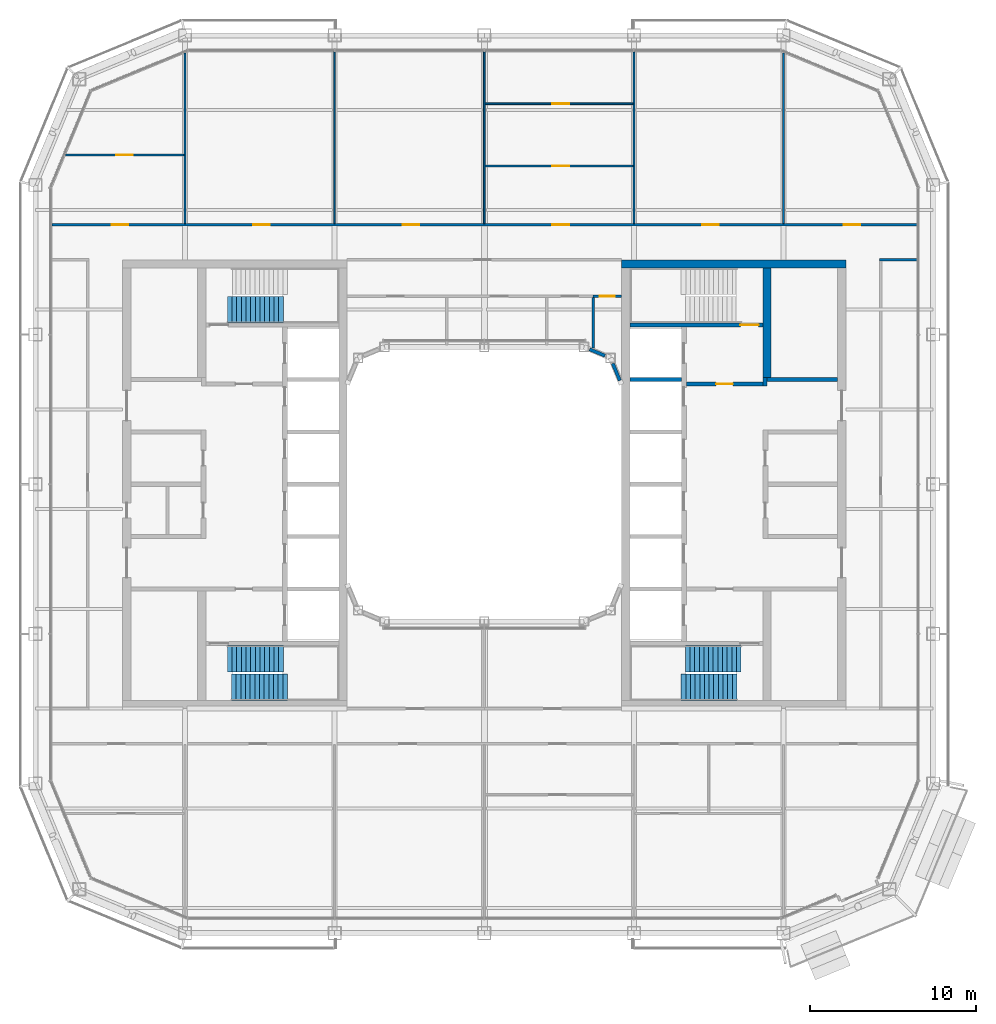
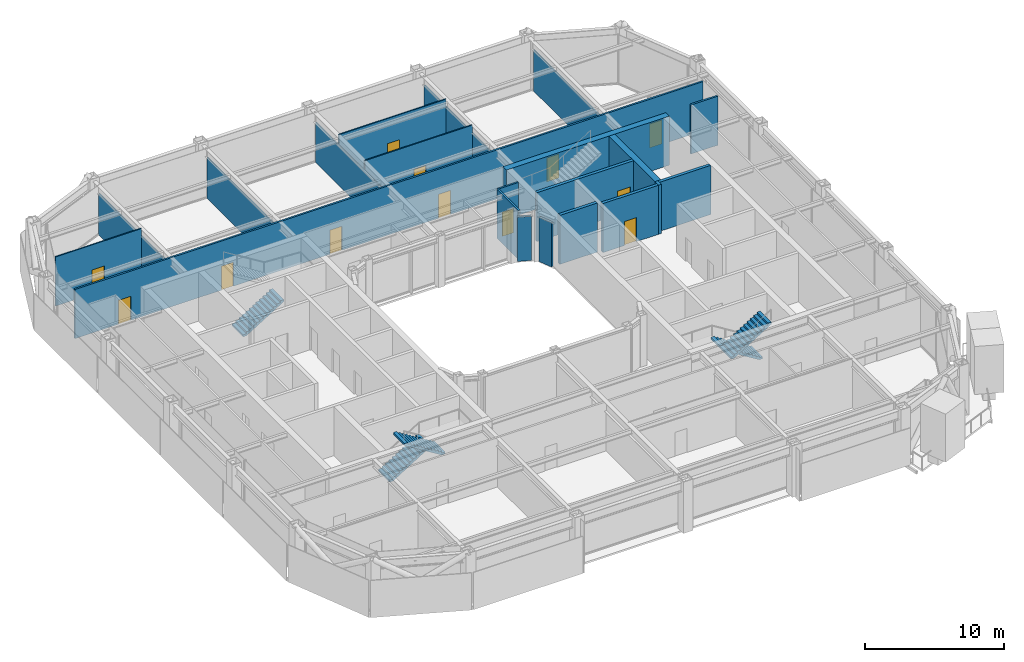
# One storey, part 15 of 23: 21 walls, 12 doors, 5 stair flights, 12 openings, 3 elements without a shape of their own.
"""IFC4 building model written with IfcOpenShell, lengths in metres."""

import ifcopenshell
import ifcopenshell.guid

model = None  # the IFC model being written
_history = None  # IfcOwnerHistory: only IFC2X3 demands one
_inside = {}  # id of a spatial element -> (the spatial element, [elements in it])
_under = {}  # id of a project, library or spatial element -> (it, [spatial elements below it])
_declared = {}  # id of a project -> (the project, [libraries it declares])
_typed = {}  # id of a type object -> (the type object, [elements of that type])
_made_of = {}  # id of a material, layer set ... -> (it, [elements and type objects made of it])


def new_model(schema):
    """Start an empty IFC model of exactly this schema.

    Asked for "IFC4X3", IfcOpenShell would pick the latest addendum, in which some entities
    have other attributes; the version numbers below select the first issue.
    IFC2X3 requires an IfcOwnerHistory on every rooted entity: one is made here for all.
    """
    global model, _history
    if schema == "IFC4X3":
        model = ifcopenshell.file(schema_version=(4, 3, 0, 0))
    else:
        model = ifcopenshell.file(schema=schema)
    _inside.clear()
    _under.clear()
    _declared.clear()
    _typed.clear()
    _made_of.clear()
    _history = None
    if model.schema == "IFC2X3":
        org = make("IfcOrganization", Name="unknown")
        user = make(
            "IfcPersonAndOrganization",
            ThePerson=make("IfcPerson", FamilyName="unknown"),
            TheOrganization=org,
        )
        app = make(
            "IfcApplication",
            ApplicationDeveloper=org,
            Version="unknown",
            ApplicationFullName="unknown",
            ApplicationIdentifier="unknown",
        )
        _history = make(
            "IfcOwnerHistory",
            OwningUser=user,
            OwningApplication=app,
            ChangeAction="ADDED",
            CreationDate=0,
        )
    return model


def make(cls, **values):
    """One entity of the class cls with the attributes given. An attribute that is None is left unset."""
    return model.create_entity(
        cls, **{name: value for name, value in values.items() if value is not None}
    )


def rooted(cls, **values):
    """An entity with a GlobalId (a new one), such as an element, a storey or a relation."""
    return make(cls, GlobalId=ifcopenshell.guid.new(), OwnerHistory=_history, **values)


def si_unit(unit_type, name, prefix=None):
    """IfcSIUnit, for example si_unit("LENGTHUNIT", "METRE", prefix="MILLI")."""
    return make("IfcSIUnit", UnitType=unit_type, Prefix=prefix, Name=name)


def assignment(units):
    """IfcUnitAssignment: the units of a project."""
    return None if units is None else make("IfcUnitAssignment", Units=units)


def point(xyz):
    """IfcCartesianPoint."""
    return None if xyz is None else make("IfcCartesianPoint", Coordinates=xyz)


def direction(xyz):
    """IfcDirection."""
    return None if xyz is None else make("IfcDirection", DirectionRatios=xyz)


def frame(location, z_axis=None, x_axis=None):
    """IfcAxis2Placement3D, a coordinate frame: its origin and axes. An axis left out is left unset."""
    return make(
        "IfcAxis2Placement3D",
        Location=point(location),
        Axis=direction(z_axis),
        RefDirection=direction(x_axis),
    )


def frame_2d(location, x_axis=None):
    """IfcAxis2Placement2D, a coordinate frame in the plane: its origin and x axis."""
    return make(
        "IfcAxis2Placement2D", Location=point(location), RefDirection=direction(x_axis)
    )


def origin():
    """The frame at (0, 0, 0) with its axes left unset."""
    return frame((0.0, 0.0, 0.0))


def place(relative_to, where):
    """IfcLocalPlacement: puts the frame where relative to a parent placement (None: the world)."""
    return make(
        "IfcLocalPlacement", PlacementRelTo=relative_to, RelativePlacement=where
    )


def context(
    kind, dimensions, precision=None, world=None, true_north=None, identifier=None
):
    """IfcGeometricRepresentationContext, for example the 3D "Model" context."""
    return make(
        "IfcGeometricRepresentationContext",
        ContextIdentifier=identifier,
        ContextType=kind,
        CoordinateSpaceDimension=dimensions,
        Precision=precision,
        WorldCoordinateSystem=world,
        TrueNorth=true_north,
    )


def subcontext(parent, identifier, kind, view, scale=None):
    """IfcGeometricRepresentationSubContext, for example "Body" below "Model"."""
    return make(
        "IfcGeometricRepresentationSubContext",
        ContextIdentifier=identifier,
        ContextType=kind,
        ParentContext=parent,
        TargetScale=scale,
        TargetView=view,
    )


def project(units=None, contexts=None):
    """IfcProject with its units and contexts."""
    return rooted(
        "IfcProject",
        Name="project",
        RepresentationContexts=contexts,
        UnitsInContext=assignment(units),
    )


def spatial(cls, under=None, at=None, **own):
    """A site, building, storey or space (cls), placed at a placement, below another one or the project."""
    s = rooted(cls, ObjectPlacement=at, **own)
    if under is not None:
        _under.setdefault(under.id(), (under, []))[1].append(s)
    return s


def polyline(points):
    """IfcPolyline through the points."""
    return make("IfcPolyline", Points=[point(p) for p in points])


def profile(cls, at=None, kind="AREA", **sizes):
    """A parametric profile (cls). Its sizes go by their IFC names, for example OverallWidth=200.0."""
    return make(cls, ProfileType=kind, Position=at, **sizes)


def rectangle(**sizes):
    """IfcRectangleProfileDef."""
    return profile("IfcRectangleProfileDef", **sizes)


def outline(outer, holes=None, kind="AREA"):
    """IfcArbitraryClosedProfileDef: a profile drawn as a closed curve; with holes, ...WithVoids."""
    if holes is None:
        return make("IfcArbitraryClosedProfileDef", ProfileType=kind, OuterCurve=outer)
    return make(
        "IfcArbitraryProfileDefWithVoids",
        ProfileType=kind,
        OuterCurve=outer,
        InnerCurves=holes,
    )


def extrude(swept, where, along, depth):
    """IfcExtrudedAreaSolid: the profile swept, set in the frame where, extruded along a direction by depth."""
    return make(
        "IfcExtrudedAreaSolid",
        SweptArea=swept,
        Position=where,
        ExtrudedDirection=direction(along),
        Depth=depth,
    )


def shape(context_of_items, identifier, shape_type, items):
    """IfcShapeRepresentation: the items that make up one representation, for example the "Body"."""
    return make(
        "IfcShapeRepresentation",
        ContextOfItems=context_of_items,
        RepresentationIdentifier=identifier,
        RepresentationType=shape_type,
        Items=items,
    )


def material(Name=None, Category=None):
    """IfcMaterial."""
    return make("IfcMaterial", Name=Name, Category=Category)


def layer(
    of_material, thickness, ventilated=None, Name=None, Category=None, Priority=None
):
    """IfcMaterialLayer: one layer of a wall or slab, of a material (None: an air gap)."""
    return make(
        "IfcMaterialLayer",
        Material=of_material,
        LayerThickness=thickness,
        IsVentilated=ventilated,
        Name=Name,
        Category=Category,
        Priority=Priority,
    )


def layer_set(layers, Name=None):
    """IfcMaterialLayerSet."""
    return make("IfcMaterialLayerSet", MaterialLayers=layers, LayerSetName=Name)


def made_of(thing, what):
    """Note that an element or type object is made of a material, layer set ...; save() writes the relation."""
    if what is not None:
        _made_of.setdefault(what.id(), (what, []))[1].append(thing)
    return thing


def type_object(cls, material=None, **own):
    """A type object (cls), such as IfcWallType, which elements share."""
    return made_of(rooted(cls, **own), material)


def element(
    cls,
    number,
    at=None,
    inside=None,
    cuts=None,
    type_object=None,
    material=None,
    context=None,
    identifier="Body",
    shape_type=None,
    held_by="IfcProductDefinitionShape",
    body=None,
    shapes=None,
    **own,
):
    """One element of the class cls, such as IfcWall. Its Tag is "e" and its number.

    at: its placement. inside: the storey or other place that contains it. cuts: it is an
    opening in that element (IfcRelVoidsElement). A single representation is given by context,
    identifier, shape_type and body (its items); several are given by shapes. held_by: the class
    of the entity that holds the representations. save() writes the other relations.
    """
    e = rooted(cls, Tag="e%d" % number, ObjectPlacement=at, **own)
    if body is not None:
        shapes = [shape(context, identifier, shape_type, body)]
    if shapes is not None:
        e.Representation = make(held_by, Representations=shapes)
    if inside is not None:
        _inside.setdefault(inside.id(), (inside, []))[1].append(e)
    if cuts is not None:
        rooted(
            "IfcRelVoidsElement", RelatingBuildingElement=cuts, RelatedOpeningElement=e
        )
    if type_object is not None:
        _typed.setdefault(type_object.id(), (type_object, []))[1].append(e)
    return made_of(e, material)


def fill(opening, filler):
    """IfcRelFillsElement: the door or window that sits in an opening."""
    return rooted(
        "IfcRelFillsElement",
        RelatingOpeningElement=opening,
        RelatedBuildingElement=filler,
    )


def aggregate(whole, parts):
    """IfcRelAggregates: a whole, such as a stair, and the parts it consists of."""
    return rooted("IfcRelAggregates", RelatingObject=whole, RelatedObjects=parts)


def save(model, path):
    """Write the relations noted so far, then the file.

    IfcRelAggregates (storeys below a building ...), IfcRelContainedInSpatialStructure (elements
    in a storey), IfcRelDefinesByType, IfcRelAssociatesMaterial and IfcRelDeclares: one each for
    every whole, place, type object, material and project.
    """
    for whole, parts in _under.values():
        aggregate(whole, parts)
    for where, things in _inside.values():
        rooted(
            "IfcRelContainedInSpatialStructure",
            RelatedElements=things,
            RelatingStructure=where,
        )
    for kind, things in _typed.values():
        rooted("IfcRelDefinesByType", RelatedObjects=things, RelatingType=kind)
    for what, things in _made_of.values():
        rooted("IfcRelAssociatesMaterial", RelatedObjects=things, RelatingMaterial=what)
    for by, libraries in _declared.values():
        rooted("IfcRelDeclares", RelatingContext=by, RelatedDefinitions=libraries)
    model.write(path)


model = new_model("IFC4")

# Units and contexts
model_context = context("Model", 3, precision=1e-05, world=origin(), true_north=direction((0.0, 1.0)))
body_context = subcontext(model_context, "Body", "Model", "MODEL_VIEW")
ifc_project = project(units=[si_unit("LENGTHUNIT", "METRE"), si_unit("AREAUNIT", "SQUARE_METRE"), si_unit("VOLUMEUNIT", "CUBIC_METRE"), si_unit("PLANEANGLEUNIT", "RADIAN"), si_unit("MASSUNIT", "GRAM", prefix="KILO")], contexts=[model_context])

# Site, building, storey
site_placement = place(None, origin())
site = spatial("IfcSite", under=ifc_project, at=site_placement, CompositionType="ELEMENT")
building_placement = place(site_placement, origin())
building = spatial("IfcBuilding", under=site, at=building_placement, Name="Siwar Civic Tower", CompositionType="ELEMENT")
storey_placement = place(building_placement, frame((0.0, 0.0, 273.699951171875)))
storey = spatial("IfcBuildingStorey", under=building, at=storey_placement, Name="L59", CompositionType="ELEMENT", Elevation=273.699951171875)

# Wall, opening, door
ifc_material_1 = material(Name="Gypsum board on steel studs", Category="steel")
ifc_layer_1 = layer(ifc_material_1, 0.14990234375)
ifc_layer_set_1 = layer_set([ifc_layer_1], Name="Gypsum board on steel studs")
wall_type_1 = type_object("IfcWallType", Name="COMPARTMENT PARTITION 150 EI 60", PredefinedType="PARTITIONING", material=ifc_layer_set_1)
wall_1_placement = place(storey_placement, frame((6.5400390625, 11.300048828125, 0.0), z_axis=(0.0, 0.0, 1.0), x_axis=(1.0, 0.0, 0.0)))
wall_1 = element("IfcWall", 1, at=wall_1_placement, inside=storey, type_object=wall_type_1, Name="L59/wall/P10", PredefinedType="PARTITIONING", context=body_context, shape_type="SweptSolid", body=[
    extrude(rectangle(XDim=1.7099609375, YDim=0.14990234375, at=frame_2d((0.85498046875, 0.0))), origin(), (0.0, 0.0, 1.0), 4.300048828125),
])
opening_1_placement = place(wall_1_placement, frame((0.39990234375, 0.0, 0.0)))
opening_1 = element("IfcOpeningElement", 2, at=opening_1_placement, cuts=wall_1, Name="Opening D4", PredefinedType="OPENING", context=body_context, shape_type="SweptSolid", body=[
    extrude(rectangle(XDim=0.89990234375, YDim=2.10009765625, at=frame_2d((0.449951171875, 1.050048828125))), frame((0.0, 0.0849609375, 0.0), z_axis=(0.0, -1.0, 0.0), x_axis=(1.0, 0.0, 0.0)), (0.0, 0.0, 1.0), 0.169921875),
])
ifc_material_2 = material(Name="Timber, painted", Category="wood")
door_type_1 = type_object("IfcDoorType", Name="DOOR 900 X 2100 FD60", OperationType="SINGLE_SWING_LEFT", PredefinedType="DOOR", material=ifc_material_2)
door_1_placement = place(opening_1_placement, origin())
door_1 = element("IfcDoor", 3, at=door_1_placement, inside=storey, type_object=door_type_1, Name="L59-D26", OperationType="SINGLE_SWING_RIGHT", OverallHeight=2.10009765625, OverallWidth=0.89990234375, PredefinedType="DOOR", context=body_context, shape_type="SweptSolid", body=[
    extrude(rectangle(XDim=0.89990234375, YDim=2.10009765625, at=frame_2d((0.449951171875, 1.050048828125))), frame((0.0, 0.02490234375, 0.0), z_axis=(0.0, -1.0, 0.0), x_axis=(1.0, 0.0, 0.0)), (0.0, 0.0, 1.0), 0.050048828125),
])
fill(opening_1, door_1)

# Wall
wall_2_placement = place(storey_placement, frame((6.5400390625, 8.18603515625, 0.0), z_axis=(0.0, 0.0, 1.0), x_axis=(0.0, 1.0, 0.0)))
element("IfcWall", 4, at=wall_2_placement, inside=storey, type_object=wall_type_1, Name="L59/wall/P28", PredefinedType="PARTITIONING", context=body_context, shape_type="SweptSolid", body=[
    extrude(rectangle(XDim=3.0390625, YDim=0.14990234375, at=frame_2d((1.51953125, 0.0))), origin(), (0.0, 0.0, 1.0), 4.300048828125),
])

# Wall, opening, door
ifc_material_3 = material(Name="Concrete C60/75", Category="concrete")
ifc_layer_2 = layer(ifc_material_3, 0.25)
ifc_layer_set_2 = layer_set([ifc_layer_2], Name="Concrete C60/75")
wall_type_2 = type_object("IfcWallType", Name="CORE-WALL-RC250", PredefinedType="SHEAR", material=ifc_layer_set_2)
wall_3_placement = place(storey_placement, frame((12.14990234375, 6.02490234375, 0.0), z_axis=(0.0, 0.0, 1.0), x_axis=(1.0, 0.0, 0.0)))
wall_3 = element("IfcWall", 5, at=wall_3_placement, inside=storey, type_object=wall_type_2, Name="Core wall E", PredefinedType="SHEAR", context=body_context, shape_type="SweptSolid", body=[
    extrude(rectangle(XDim=4.60009765625, YDim=0.25, at=frame_2d((2.300048828125, 0.0))), origin(), (0.0, 0.0, 1.0), 4.300048828125),
])
opening_2_placement = place(wall_3_placement, frame((1.800048828125, 0.0, 0.0)))
opening_2 = element("IfcOpeningElement", 6, at=opening_2_placement, cuts=wall_3, Name="Opening L59-CE01", PredefinedType="OPENING", context=body_context, shape_type="SweptSolid", body=[
    extrude(rectangle(XDim=1.0, YDim=2.10009765625, at=frame_2d((0.5, 1.050048828125))), frame((0.0, 0.135009765625, 0.0), z_axis=(0.0, -1.0, 0.0), x_axis=(1.0, 0.0, 0.0)), (0.0, 0.0, 1.0), 0.27001953125),
])
ifc_material_4 = material(Name="Steel door leaf", Category="steel")
door_type_2 = type_object("IfcDoorType", Name="CORE-DOOR-FD30S", OperationType="SINGLE_SWING_LEFT", PredefinedType="DOOR", material=ifc_material_4)
door_2_placement = place(opening_2_placement, origin())
door_2 = element("IfcDoor", 7, at=door_2_placement, inside=storey, type_object=door_type_2, Name="Firefighting lobby door L59-CE01", OperationType="SINGLE_SWING_RIGHT", OverallHeight=2.10009765625, OverallWidth=1.0, PredefinedType="DOOR", context=body_context, shape_type="SweptSolid", body=[
    extrude(rectangle(XDim=1.0, YDim=2.10009765625, at=frame_2d((0.5, 1.050048828125))), frame((0.0, 0.02490234375, 0.0), z_axis=(0.0, -1.0, 0.0), x_axis=(1.0, 0.0, 0.0)), (0.0, 0.0, 1.0), 0.050048828125),
])
fill(opening_2, door_2)

# Walls
wall_4_placement = place(storey_placement, frame((16.875, 5.89990234375, 0.0), z_axis=(0.0, 0.0, 1.0), x_axis=(0.0, 1.0, 0.0)))
element("IfcWall", 8, at=wall_4_placement, inside=storey, type_object=wall_type_2, Name="Core wall E", PredefinedType="SHEAR", context=body_context, shape_type="SweptSolid", body=[
    extrude(rectangle(XDim=0.525146484375, YDim=0.25, at=frame_2d((0.2626953125, 0.0))), origin(), (0.0, 0.0, 1.0), 4.300048828125),
])
wall_5_placement = place(storey_placement, frame((17.0, 6.300048828125, 0.0), z_axis=(0.0, 0.0, 1.0), x_axis=(1.0, 0.0, 0.0)))
element("IfcWall", 9, at=wall_5_placement, inside=storey, type_object=wall_type_2, Name="Core wall E", PredefinedType="SHEAR", context=body_context, shape_type="SweptSolid", body=[
    extrude(rectangle(XDim=4.25, YDim=0.25, at=frame_2d((2.125, 0.0))), origin(), (0.0, 0.0, 1.0), 4.300048828125),
])
wall_6_placement = place(storey_placement, frame((8.75, 6.300048828125, 0.0), z_axis=(0.0, 0.0, 1.0), x_axis=(1.0, 0.0, 0.0)))
element("IfcWall", 10, at=wall_6_placement, inside=storey, type_object=wall_type_2, Name="Core wall E", PredefinedType="SHEAR", context=body_context, shape_type="SweptSolid", body=[
    extrude(rectangle(XDim=3.10009765625, YDim=0.25, at=frame_2d((1.550048828125, 0.0))), origin(), (0.0, 0.0, 1.0), 4.300048828125),
])

# Wall, opening, door
wall_7_placement = place(storey_placement, frame((8.75, 9.574951171875, 0.0), z_axis=(0.0, 0.0, 1.0), x_axis=(1.0, 0.0, 0.0)))
wall_7 = element("IfcWall", 11, at=wall_7_placement, inside=storey, type_object=wall_type_2, Name="Core wall E", PredefinedType="SHEAR", context=body_context, shape_type="SweptSolid", body=[
    extrude(rectangle(XDim=8.0, YDim=0.25, at=frame_2d((4.0, 0.0))), origin(), (0.0, 0.0, 1.0), 4.300048828125),
])
opening_3_placement = place(wall_7_placement, frame((6.64990234375, 0.0, 0.0)))
opening_3 = element("IfcOpeningElement", 12, at=opening_3_placement, cuts=wall_7, Name="Opening L59-CE03", PredefinedType="OPENING", context=body_context, shape_type="SweptSolid", body=[
    extrude(rectangle(XDim=1.10009765625, YDim=2.10009765625, at=frame_2d((0.550048828125, 1.050048828125))), frame((0.0, 0.135009765625, 0.0), z_axis=(0.0, -1.0, 0.0), x_axis=(1.0, 0.0, 0.0)), (0.0, 0.0, 1.0), 0.27001953125),
])
ifc_material_5 = material(Name="Steel door leaf", Category="steel")
door_type_3 = type_object("IfcDoorType", Name="CORE-DOOR-FD60S", OperationType="SINGLE_SWING_LEFT", PredefinedType="DOOR", material=ifc_material_5)
door_3_placement = place(opening_3_placement, origin())
door_3 = element("IfcDoor", 13, at=door_3_placement, inside=storey, type_object=door_type_3, Name="Stair door L59-CE03", OperationType="SINGLE_SWING_LEFT", OverallHeight=2.10009765625, OverallWidth=1.10009765625, PredefinedType="DOOR", context=body_context, shape_type="SweptSolid", body=[
    extrude(rectangle(XDim=1.10009765625, YDim=2.10009765625, at=frame_2d((0.550048828125, 1.050048828125))), frame((0.0, 0.02490234375, 0.0), z_axis=(0.0, -1.0, 0.0), x_axis=(1.0, 0.0, 0.0)), (0.0, 0.0, 1.0), 0.050048828125),
])
fill(opening_3, door_3)

# Walls
ifc_material_6 = material(Name="Concrete C60/75", Category="concrete")
ifc_layer_3 = layer(ifc_material_6, 0.5)
ifc_layer_set_3 = layer_set([ifc_layer_3], Name="Concrete C60/75")
wall_type_3 = type_object("IfcWallType", Name="CORE-WALL-RC500", PredefinedType="SHEAR", material=ifc_layer_set_3)
wall_8_placement = place(storey_placement, frame((17.0, 6.425048828125, 0.0), z_axis=(0.0, 0.0, 1.0), x_axis=(0.0, 1.0, 0.0)))
element("IfcWall", 14, at=wall_8_placement, inside=storey, type_object=wall_type_3, Name="Core wall E", PredefinedType="SHEAR", context=body_context, shape_type="SweptSolid", body=[
    extrude(rectangle(XDim=6.574951171875, YDim=0.5, at=frame_2d((3.28759765625, 0.0))), origin(), (0.0, 0.0, 1.0), 4.300048828125),
])
wall_9_placement = place(storey_placement, frame((8.25, 13.25, 0.0), z_axis=(0.0, 0.0, 1.0), x_axis=(1.0, 0.0, 0.0)))
element("IfcWall", 15, at=wall_9_placement, inside=storey, type_object=wall_type_3, Name="Core wall E", PredefinedType="SHEAR", context=body_context, shape_type="SweptSolid", body=[
    extrude(rectangle(XDim=13.5, YDim=0.5, at=frame_2d((6.75, 0.0))), origin(), (0.0, 0.0, 1.0), 4.300048828125),
])
ifc_material_7 = material(Name="Gypsum board on steel studs", Category="steel")
ifc_layer_4 = layer(ifc_material_7, 0.14990234375)
ifc_layer_set_4 = layer_set([ifc_layer_4], Name="Gypsum board on steel studs")
wall_type_4 = type_object("IfcWallType", Name="CORRIDOR PARTITION 150 EI 30", PredefinedType="PARTITIONING", material=ifc_layer_set_4)
wall_10_placement = place(storey_placement, frame((23.77490234375, 13.5, 0.0), z_axis=(0.0, 0.0, 1.0), x_axis=(1.0, 0.0, 0.0)))
element("IfcWall", 16, at=wall_10_placement, inside=storey, type_object=wall_type_4, Name="L59/wall/P13", PredefinedType="PARTITIONING", context=body_context, shape_type="SweptSolid", body=[
    extrude(rectangle(XDim=2.235107421875, YDim=0.14990234375, at=frame_2d((1.11767578125, 0.0))), origin(), (0.0, 0.0, 1.0), 4.300048828125),
])

# Wall, openings, doors
wall_11_placement = place(storey_placement, frame((-26.010009765625, 15.60009765625, 0.0), z_axis=(0.0, 0.0, 1.0), x_axis=(1.0, 0.0, 0.0)))
wall_11 = element("IfcWall", 17, at=wall_11_placement, inside=storey, type_object=wall_type_4, Name="L59/wall/P14", PredefinedType="PARTITIONING", context=body_context, shape_type="SweptSolid", body=[
    extrude(rectangle(XDim=52.02001953125, YDim=0.14990234375, at=frame_2d((26.010009765625, 0.0))), origin(), (0.0, 0.0, 1.0), 4.300048828125),
])
opening_4_placement = place(wall_11_placement, frame((12.110107421875, 0.0, 0.0)))
opening_4 = element("IfcOpeningElement", 18, at=opening_4_placement, cuts=wall_11, Name="Opening D1", PredefinedType="OPENING", context=body_context, shape_type="SweptSolid", body=[
    extrude(rectangle(XDim=1.0, YDim=2.10009765625, at=frame_2d((0.5, 1.050048828125))), frame((0.0, 0.0849609375, 0.0), z_axis=(0.0, -1.0, 0.0), x_axis=(1.0, 0.0, 0.0)), (0.0, 0.0, 1.0), 0.169921875),
])
opening_5_placement = place(wall_11_placement, frame((21.110107421875, 0.0, 0.0)))
opening_5 = element("IfcOpeningElement", 19, at=opening_5_placement, cuts=wall_11, Name="Opening D1", PredefinedType="OPENING", context=body_context, shape_type="SweptSolid", body=[
    extrude(rectangle(XDim=1.0, YDim=2.10009765625, at=frame_2d((0.5, 1.050048828125))), frame((0.0, 0.0849609375, 0.0), z_axis=(0.0, -1.0, 0.0), x_axis=(1.0, 0.0, 0.0)), (0.0, 0.0, 1.0), 0.169921875),
])
opening_6_placement = place(wall_11_placement, frame((30.110107421875, 0.0, 0.0)))
opening_6 = element("IfcOpeningElement", 20, at=opening_6_placement, cuts=wall_11, Name="Opening D1", PredefinedType="OPENING", context=body_context, shape_type="SweptSolid", body=[
    extrude(rectangle(XDim=1.0, YDim=2.10009765625, at=frame_2d((0.5, 1.050048828125))), frame((0.0, 0.0849609375, 0.0), z_axis=(0.0, -1.0, 0.0), x_axis=(1.0, 0.0, 0.0)), (0.0, 0.0, 1.0), 0.169921875),
])
opening_7_placement = place(wall_11_placement, frame((39.110107421875, 0.0, 0.0)))
opening_7 = element("IfcOpeningElement", 21, at=opening_7_placement, cuts=wall_11, Name="Opening D1", PredefinedType="OPENING", context=body_context, shape_type="SweptSolid", body=[
    extrude(rectangle(XDim=1.0, YDim=2.10009765625, at=frame_2d((0.5, 1.050048828125))), frame((0.0, 0.0849609375, 0.0), z_axis=(0.0, -1.0, 0.0), x_axis=(1.0, 0.0, 0.0)), (0.0, 0.0, 1.0), 0.169921875),
])
opening_8_placement = place(wall_11_placement, frame((3.610107421875, 0.0, 0.0)))
opening_8 = element("IfcOpeningElement", 22, at=opening_8_placement, cuts=wall_11, Name="Opening D1", PredefinedType="OPENING", context=body_context, shape_type="SweptSolid", body=[
    extrude(rectangle(XDim=1.0, YDim=2.10009765625, at=frame_2d((0.5, 1.050048828125))), frame((0.0, 0.0849609375, 0.0), z_axis=(0.0, -1.0, 0.0), x_axis=(1.0, 0.0, 0.0)), (0.0, 0.0, 1.0), 0.169921875),
])
opening_9_placement = place(wall_11_placement, frame((47.6201171875, 0.0, 0.0)))
opening_9 = element("IfcOpeningElement", 23, at=opening_9_placement, cuts=wall_11, Name="Opening D1", PredefinedType="OPENING", context=body_context, shape_type="SweptSolid", body=[
    extrude(rectangle(XDim=1.0, YDim=2.10009765625, at=frame_2d((0.5, 1.050048828125))), frame((0.0, 0.0849609375, 0.0), z_axis=(0.0, -1.0, 0.0), x_axis=(1.0, 0.0, 0.0)), (0.0, 0.0, 1.0), 0.169921875),
])
ifc_material_8 = material(Name="Timber, painted", Category="wood")
door_type_4 = type_object("IfcDoorType", Name="DOOR 1000 X 2100 FD30", OperationType="SINGLE_SWING_LEFT", PredefinedType="DOOR", material=ifc_material_8)
door_4_placement = place(opening_4_placement, origin())
door_4 = element("IfcDoor", 24, at=door_4_placement, inside=storey, type_object=door_type_4, Name="L59-D01", OperationType="SINGLE_SWING_LEFT", OverallHeight=2.10009765625, OverallWidth=1.0, PredefinedType="DOOR", context=body_context, shape_type="SweptSolid", body=[
    extrude(rectangle(XDim=1.0, YDim=2.10009765625, at=frame_2d((0.5, 1.050048828125))), frame((0.0, 0.02490234375, 0.0), z_axis=(0.0, -1.0, 0.0), x_axis=(1.0, 0.0, 0.0)), (0.0, 0.0, 1.0), 0.050048828125),
])
fill(opening_4, door_4)
door_5_placement = place(opening_5_placement, origin())
door_5 = element("IfcDoor", 25, at=door_5_placement, inside=storey, type_object=door_type_4, Name="L59-D02", OperationType="SINGLE_SWING_RIGHT", OverallHeight=2.10009765625, OverallWidth=1.0, PredefinedType="DOOR", context=body_context, shape_type="SweptSolid", body=[
    extrude(rectangle(XDim=1.0, YDim=2.10009765625, at=frame_2d((0.5, 1.050048828125))), frame((0.0, 0.02490234375, 0.0), z_axis=(0.0, -1.0, 0.0), x_axis=(1.0, 0.0, 0.0)), (0.0, 0.0, 1.0), 0.050048828125),
])
fill(opening_5, door_5)
door_6_placement = place(opening_6_placement, origin())
door_6 = element("IfcDoor", 26, at=door_6_placement, inside=storey, type_object=door_type_4, Name="L59-D03", OperationType="SINGLE_SWING_LEFT", OverallHeight=2.10009765625, OverallWidth=1.0, PredefinedType="DOOR", context=body_context, shape_type="SweptSolid", body=[
    extrude(rectangle(XDim=1.0, YDim=2.10009765625, at=frame_2d((0.5, 1.050048828125))), frame((0.0, 0.02490234375, 0.0), z_axis=(0.0, -1.0, 0.0), x_axis=(1.0, 0.0, 0.0)), (0.0, 0.0, 1.0), 0.050048828125),
])
fill(opening_6, door_6)
door_7_placement = place(opening_7_placement, origin())
door_7 = element("IfcDoor", 27, at=door_7_placement, inside=storey, type_object=door_type_4, Name="L59-D06", OperationType="SINGLE_SWING_RIGHT", OverallHeight=2.10009765625, OverallWidth=1.0, PredefinedType="DOOR", context=body_context, shape_type="SweptSolid", body=[
    extrude(rectangle(XDim=1.0, YDim=2.10009765625, at=frame_2d((0.5, 1.050048828125))), frame((0.0, 0.02490234375, 0.0), z_axis=(0.0, -1.0, 0.0), x_axis=(1.0, 0.0, 0.0)), (0.0, 0.0, 1.0), 0.050048828125),
])
fill(opening_7, door_7)
door_8_placement = place(opening_8_placement, origin())
door_8 = element("IfcDoor", 28, at=door_8_placement, inside=storey, type_object=door_type_4, Name="L59-D14", OperationType="SINGLE_SWING_RIGHT", OverallHeight=2.10009765625, OverallWidth=1.0, PredefinedType="DOOR", context=body_context, shape_type="SweptSolid", body=[
    extrude(rectangle(XDim=1.0, YDim=2.10009765625, at=frame_2d((0.5, 1.050048828125))), frame((0.0, 0.02490234375, 0.0), z_axis=(0.0, -1.0, 0.0), x_axis=(1.0, 0.0, 0.0)), (0.0, 0.0, 1.0), 0.050048828125),
])
fill(opening_8, door_8)
door_9_placement = place(opening_9_placement, origin())
door_9 = element("IfcDoor", 29, at=door_9_placement, inside=storey, type_object=door_type_4, Name="L59-D16", OperationType="SINGLE_SWING_RIGHT", OverallHeight=2.10009765625, OverallWidth=1.0, PredefinedType="DOOR", context=body_context, shape_type="SweptSolid", body=[
    extrude(rectangle(XDim=1.0, YDim=2.10009765625, at=frame_2d((0.5, 1.050048828125))), frame((0.0, 0.02490234375, 0.0), z_axis=(0.0, -1.0, 0.0), x_axis=(1.0, 0.0, 0.0)), (0.0, 0.0, 1.0), 0.050048828125),
])
fill(opening_9, door_9)

# Walls
ifc_material_9 = material(Name="Aluminium clad insulated panel", Category="aluminium")
ifc_layer_5 = layer(ifc_material_9, 0.199951171875)
ifc_layer_set_5 = layer_set([ifc_layer_5], Name="Aluminium clad insulated panel")
wall_type_5 = type_object("IfcWallType", Name="ENV-WALL-WELL", PredefinedType="STANDARD", material=ifc_layer_set_5)
wall_12_placement = place(storey_placement, frame((8.154296875, 6.23095703125, 0.0), z_axis=(0.0, 0.0, 1.0), x_axis=(-0.382635994082, 0.923899180665, 0.0)))
element("IfcWall", 30, at=wall_12_placement, inside=storey, type_object=wall_type_5, Name="Light well corner wall NE1", PredefinedType="STANDARD", context=body_context, shape_type="SweptSolid", body=[
    extrude(rectangle(XDim=1.11279296875, YDim=0.199951171875, at=frame_2d((0.556396484375, 0.0))), origin(), (0.0, 0.0, 1.0), 3.8681640625),
])
wall_13_placement = place(storey_placement, frame((7.259033203125, 7.728515625, 0.0), z_axis=(0.0, 0.0, 1.0), x_axis=(-0.923859650767, 0.382731427616, 0.0)))
element("IfcWall", 31, at=wall_13_placement, inside=storey, type_object=wall_type_5, Name="Light well corner wall NE2", PredefinedType="STANDARD", context=body_context, shape_type="SweptSolid", body=[
    extrude(rectangle(XDim=1.00341796875, YDim=0.199951171875, at=frame_2d((0.501708984375, 0.0))), origin(), (0.0, 0.0, 1.0), 3.8681640625),
])

# Wall, opening, door
ifc_material_10 = material(Name="Gypsum board on steel studs", Category="steel")
ifc_layer_6 = layer(ifc_material_10, 0.10009765625)
ifc_layer_set_6 = layer_set([ifc_layer_6], Name="Gypsum board on steel studs")
wall_type_6 = type_object("IfcWallType", Name="PARTITION 100 GYPSUM", PredefinedType="PARTITIONING", material=ifc_layer_set_6)
wall_14_placement = place(storey_placement, frame((0.050048828125, 19.138916015625, 0.0), z_axis=(0.0, 0.0, 1.0), x_axis=(1.0, 0.0, 0.0)))
wall_14 = element("IfcWall", 32, at=wall_14_placement, inside=storey, type_object=wall_type_6, Name="L59/wall/P15", PredefinedType="PARTITIONING", context=body_context, shape_type="SweptSolid", body=[
    extrude(rectangle(XDim=8.89990234375, YDim=0.10009765625, at=frame_2d((4.449951171875, 0.0))), origin(), (0.0, 0.0, 1.0), 4.300048828125),
])
opening_10_placement = place(wall_14_placement, frame((4.050048828125, 0.0, 0.0)))
opening_10 = element("IfcOpeningElement", 33, at=opening_10_placement, cuts=wall_14, Name="Opening D2", PredefinedType="OPENING", context=body_context, shape_type="SweptSolid", body=[
    extrude(rectangle(XDim=1.0, YDim=2.10009765625, at=frame_2d((0.5, 1.050048828125))), frame((0.0, 0.06005859375, 0.0), z_axis=(0.0, -1.0, 0.0), x_axis=(1.0, 0.0, 0.0)), (0.0, 0.0, 1.0), 0.1201171875),
])
ifc_material_11 = material(Name="Timber, painted", Category="wood")
door_type_5 = type_object("IfcDoorType", Name="DOOR 1000 X 2100", OperationType="SINGLE_SWING_LEFT", PredefinedType="DOOR", material=ifc_material_11)
door_10_placement = place(opening_10_placement, origin())
door_10 = element("IfcDoor", 34, at=door_10_placement, inside=storey, type_object=door_type_5, Name="L59-D04", OperationType="SINGLE_SWING_RIGHT", OverallHeight=2.10009765625, OverallWidth=1.0, PredefinedType="DOOR", context=body_context, shape_type="SweptSolid", body=[
    extrude(rectangle(XDim=1.0, YDim=2.10009765625, at=frame_2d((0.5, 1.050048828125))), frame((0.0, 0.02490234375, 0.0), z_axis=(0.0, -1.0, 0.0), x_axis=(1.0, 0.0, 0.0)), (0.0, 0.0, 1.0), 0.050048828125),
])
fill(opening_10, door_10)

wall_15_placement = place(storey_placement, frame((-25.18310546875, 19.800048828125, 0.0), z_axis=(0.0, 0.0, 1.0), x_axis=(1.0, 0.0, 0.0)))
wall_15 = element("IfcWall", 35, at=wall_15_placement, inside=storey, type_object=wall_type_6, Name="L59/wall/P16", PredefinedType="PARTITIONING", context=body_context, shape_type="SweptSolid", body=[
    extrude(rectangle(XDim=7.133056640625, YDim=0.10009765625, at=frame_2d((3.56640625, 0.0))), origin(), (0.0, 0.0, 1.0), 4.300048828125),
])
opening_11_placement = place(wall_15_placement, frame((3.032958984375, 0.0, 0.0)))
opening_11 = element("IfcOpeningElement", 36, at=opening_11_placement, cuts=wall_15, Name="Opening D2", PredefinedType="OPENING", context=body_context, shape_type="SweptSolid", body=[
    extrude(rectangle(XDim=1.0, YDim=2.10009765625, at=frame_2d((0.5, 1.050048828125))), frame((0.0, 0.06005859375, 0.0), z_axis=(0.0, -1.0, 0.0), x_axis=(1.0, 0.0, 0.0)), (0.0, 0.0, 1.0), 0.1201171875),
])
door_11_placement = place(opening_11_placement, origin())
door_11 = element("IfcDoor", 37, at=door_11_placement, inside=storey, type_object=door_type_5, Name="L59-D15", OperationType="SINGLE_SWING_LEFT", OverallHeight=2.10009765625, OverallWidth=1.0, PredefinedType="DOOR", context=body_context, shape_type="SweptSolid", body=[
    extrude(rectangle(XDim=1.0, YDim=2.10009765625, at=frame_2d((0.5, 1.050048828125))), frame((0.0, 0.02490234375, 0.0), z_axis=(0.0, -1.0, 0.0), x_axis=(1.0, 0.0, 0.0)), (0.0, 0.0, 1.0), 0.050048828125),
])
fill(opening_11, door_11)

wall_16_placement = place(storey_placement, frame((0.050048828125, 22.886962890625, 0.0), z_axis=(0.0, 0.0, 1.0), x_axis=(1.0, 0.0, 0.0)))
wall_16 = element("IfcWall", 38, at=wall_16_placement, inside=storey, type_object=wall_type_6, Name="L59/wall/P17", PredefinedType="PARTITIONING", context=body_context, shape_type="SweptSolid", body=[
    extrude(rectangle(XDim=8.89990234375, YDim=0.10009765625, at=frame_2d((4.449951171875, 0.0))), origin(), (0.0, 0.0, 1.0), 4.300048828125),
])
opening_12_placement = place(wall_16_placement, frame((4.050048828125, 0.0, 0.0)))
opening_12 = element("IfcOpeningElement", 39, at=opening_12_placement, cuts=wall_16, Name="Opening D2", PredefinedType="OPENING", context=body_context, shape_type="SweptSolid", body=[
    extrude(rectangle(XDim=1.0, YDim=2.10009765625, at=frame_2d((0.5, 1.050048828125))), frame((0.0, 0.06005859375, 0.0), z_axis=(0.0, -1.0, 0.0), x_axis=(1.0, 0.0, 0.0)), (0.0, 0.0, 1.0), 0.1201171875),
])
door_12_placement = place(opening_12_placement, origin())
door_12 = element("IfcDoor", 40, at=door_12_placement, inside=storey, type_object=door_type_5, Name="L59-D05", OperationType="SINGLE_SWING_LEFT", OverallHeight=2.10009765625, OverallWidth=1.0, PredefinedType="DOOR", context=body_context, shape_type="SweptSolid", body=[
    extrude(rectangle(XDim=1.0, YDim=2.10009765625, at=frame_2d((0.5, 1.050048828125))), frame((0.0, 0.02490234375, 0.0), z_axis=(0.0, -1.0, 0.0), x_axis=(1.0, 0.0, 0.0)), (0.0, 0.0, 1.0), 0.050048828125),
])
fill(opening_12, door_12)

# Walls
wall_17_placement = place(storey_placement, frame((-18.0, 15.675048828125, 0.0), z_axis=(0.0, 0.0, 1.0), x_axis=(0.0, 1.0, 0.0)))
element("IfcWall", 41, at=wall_17_placement, inside=storey, type_object=wall_type_6, Name="L59/wall/P20", PredefinedType="PARTITIONING", context=body_context, shape_type="SweptSolid", body=[
    extrude(rectangle(XDim=10.2529296875, YDim=0.10009765625, at=frame_2d((5.12646484375, 0.0))), origin(), (0.0, 0.0, 1.0), 3.60009765625),
])
wall_18_placement = place(storey_placement, frame((-9.0, 15.675048828125, 0.0), z_axis=(0.0, 0.0, 1.0), x_axis=(0.0, 1.0, 0.0)))
element("IfcWall", 42, at=wall_18_placement, inside=storey, type_object=wall_type_6, Name="L59/wall/P22", PredefinedType="PARTITIONING", context=body_context, shape_type="SweptSolid", body=[
    extrude(rectangle(XDim=10.3349609375, YDim=0.10009765625, at=frame_2d((5.16748046875, 0.0))), origin(), (0.0, 0.0, 1.0), 3.60009765625),
])
wall_19_placement = place(storey_placement, frame((0.0, 15.675048828125, 0.0), z_axis=(0.0, 0.0, 1.0), x_axis=(0.0, 1.0, 0.0)))
element("IfcWall", 43, at=wall_19_placement, inside=storey, type_object=wall_type_6, Name="L59/wall/P25", PredefinedType="PARTITIONING", context=body_context, shape_type="SweptSolid", body=[
    extrude(rectangle(XDim=10.3349609375, YDim=0.10009765625, at=frame_2d((5.16748046875, 0.0))), origin(), (0.0, 0.0, 1.0), 3.5),
])
wall_20_placement = place(storey_placement, frame((9.0, 15.675048828125, 0.0), z_axis=(0.0, 0.0, 1.0), x_axis=(0.0, 1.0, 0.0)))
element("IfcWall", 44, at=wall_20_placement, inside=storey, type_object=wall_type_6, Name="L59/wall/P30", PredefinedType="PARTITIONING", context=body_context, shape_type="SweptSolid", body=[
    extrude(rectangle(XDim=10.3349609375, YDim=0.10009765625, at=frame_2d((5.16748046875, 0.0))), origin(), (0.0, 0.0, 1.0), 3.60009765625),
])
wall_21_placement = place(storey_placement, frame((18.0, 15.675048828125, 0.0), z_axis=(0.0, 0.0, 1.0), x_axis=(0.0, 1.0, 0.0)))
element("IfcWall", 45, at=wall_21_placement, inside=storey, type_object=wall_type_6, Name="L59/wall/P33", PredefinedType="PARTITIONING", context=body_context, shape_type="SweptSolid", body=[
    extrude(rectangle(XDim=10.2529296875, YDim=0.10009765625, at=frame_2d((5.12646484375, 0.0))), origin(), (0.0, 0.0, 1.0), 3.60009765625),
])

# Stair, stair flight
ifc_material_12 = material(Name="Concrete C40/50", Category="concrete")
stair_type = type_object("IfcStairType", Name="CORE-STAIR", PredefinedType="TWO_STRAIGHT_RUN_STAIR", material=ifc_material_12)
stair_1_placement = place(storey_placement, origin())
stair_1 = element("IfcStair", 46, at=stair_1_placement, inside=storey, type_object=stair_type, Name="Exit stair ST1", PredefinedType="TWO_STRAIGHT_RUN_STAIR")
ifc_material_13 = material(Name="Concrete C40/50", Category="concrete")
stair_flight_type = type_object("IfcStairFlightType", Name="CORE-STAIR-FLIGHT", PredefinedType="STRAIGHT", material=ifc_material_13)
stair_flight_1_placement = place(storey_placement, frame((-15.449951171875, 10.5, 0.0), z_axis=(0.0, 0.0, 1.0), x_axis=(1.0, 0.0, 0.0)))
stair_flight_1 = element("IfcStairFlight", 47, at=stair_flight_1_placement, type_object=stair_flight_type, Name="ST1 flight 1", NumberOfRisers=13, NumberOfTreads=12, PredefinedType="STRAIGHT", RiserHeight=0.173076923, TreadLength=0.28, context=body_context, shape_type="SweptSolid", body=[
    extrude(outline(polyline([(0.0, 0.0), (0.0, 0.173095703125), (0.280029296875, 0.173095703125), (0.280029296875, 0.34619140625), (0.56005859375, 0.34619140625), (0.56005859375, 0.519287109375), (0.840087890625, 0.519287109375), (0.840087890625, 0.6923828125), (1.1201171875, 0.6923828125), (1.1201171875, 0.865478515625), (1.39990234375, 0.865478515625), (1.39990234375, 1.03857421875), (1.679931640625, 1.03857421875), (1.679931640625, 1.21142578125), (1.9599609375, 1.21142578125), (1.9599609375, 1.384521484375), (2.239990234375, 1.384521484375), (2.239990234375, 1.5576171875), (2.52001953125, 1.5576171875), (2.52001953125, 1.730712890625), (2.800048828125, 1.730712890625), (2.800048828125, 1.90380859375), (3.080078125, 1.90380859375), (3.080078125, 2.076904296875), (3.360107421875, 2.076904296875), (3.360107421875, 2.25), (3.360107421875, 1.900634765625), (0.28515625, 0.0), (0.0, 0.0)])), frame((0.0, 0.800048828125, 0.0), z_axis=(0.0, -1.0, 0.0), x_axis=(1.0, 0.0, 0.0)), (0.0, 0.0, 1.0), 1.60009765625),
])
aggregate(stair_1, [stair_flight_1])

# Stair, stair flights
stair_2_placement = place(storey_placement, origin())
stair_2 = element("IfcStair", 48, at=stair_2_placement, inside=storey, type_object=stair_type, Name="Exit stair ST2", PredefinedType="TWO_STRAIGHT_RUN_STAIR")
stair_flight_2_placement = place(storey_placement, frame((-15.449951171875, -10.5, 0.0), z_axis=(0.0, 0.0, 1.0), x_axis=(1.0, 0.0, 0.0)))
stair_flight_2 = element("IfcStairFlight", 49, at=stair_flight_2_placement, type_object=stair_flight_type, Name="ST2 flight 1", NumberOfRisers=13, NumberOfTreads=12, PredefinedType="STRAIGHT", RiserHeight=0.173076923, TreadLength=0.28, context=body_context, shape_type="SweptSolid", body=[
    extrude(outline(polyline([(0.0, 0.0), (0.0, 0.173095703125), (0.280029296875, 0.173095703125), (0.280029296875, 0.34619140625), (0.56005859375, 0.34619140625), (0.56005859375, 0.519287109375), (0.840087890625, 0.519287109375), (0.840087890625, 0.6923828125), (1.1201171875, 0.6923828125), (1.1201171875, 0.865478515625), (1.39990234375, 0.865478515625), (1.39990234375, 1.03857421875), (1.679931640625, 1.03857421875), (1.679931640625, 1.21142578125), (1.9599609375, 1.21142578125), (1.9599609375, 1.384521484375), (2.239990234375, 1.384521484375), (2.239990234375, 1.5576171875), (2.52001953125, 1.5576171875), (2.52001953125, 1.730712890625), (2.800048828125, 1.730712890625), (2.800048828125, 1.90380859375), (3.080078125, 1.90380859375), (3.080078125, 2.076904296875), (3.360107421875, 2.076904296875), (3.360107421875, 2.25), (3.360107421875, 1.900634765625), (0.28515625, 0.0), (0.0, 0.0)])), frame((0.0, 0.800048828125, 0.0), z_axis=(0.0, -1.0, 0.0), x_axis=(1.0, 0.0, 0.0)), (0.0, 0.0, 1.0), 1.60009765625),
])
stair_flight_3_placement = place(storey_placement, frame((-11.840087890625, -12.199951171875, 2.25), z_axis=(0.0, 0.0, 1.0), x_axis=(-1.0, 0.0, 0.0)))
stair_flight_3 = element("IfcStairFlight", 50, at=stair_flight_3_placement, type_object=stair_flight_type, Name="ST2 flight 2", NumberOfRisers=13, NumberOfTreads=12, PredefinedType="STRAIGHT", RiserHeight=0.173076923, TreadLength=0.28, context=body_context, shape_type="SweptSolid", body=[
    extrude(outline(polyline([(0.0, 0.0), (0.0, 0.173095703125), (0.280029296875, 0.173095703125), (0.280029296875, 0.34619140625), (0.56005859375, 0.34619140625), (0.56005859375, 0.519287109375), (0.840087890625, 0.519287109375), (0.840087890625, 0.6923828125), (1.1201171875, 0.6923828125), (1.1201171875, 0.865478515625), (1.39990234375, 0.865478515625), (1.39990234375, 1.03857421875), (1.679931640625, 1.03857421875), (1.679931640625, 1.21142578125), (1.9599609375, 1.21142578125), (1.9599609375, 1.384521484375), (2.239990234375, 1.384521484375), (2.239990234375, 1.5576171875), (2.52001953125, 1.5576171875), (2.52001953125, 1.730712890625), (2.800048828125, 1.730712890625), (2.800048828125, 1.90380859375), (3.080078125, 1.90380859375), (3.080078125, 2.076904296875), (3.360107421875, 2.076904296875), (3.360107421875, 2.25), (3.360107421875, 1.900634765625), (0.28515625, 0.0), (0.0, 0.0)])), frame((0.0, 0.800048828125, 0.0), z_axis=(0.0, -1.0, 0.0), x_axis=(1.0, 0.0, 0.0)), (0.0, 0.0, 1.0), 1.60009765625),
])
aggregate(stair_2, [stair_flight_2, stair_flight_3])

stair_3_placement = place(storey_placement, origin())
stair_3 = element("IfcStair", 51, at=stair_3_placement, inside=storey, type_object=stair_type, Name="Exit stair ST4", PredefinedType="TWO_STRAIGHT_RUN_STAIR")
stair_flight_4_placement = place(storey_placement, frame((15.449951171875, -10.5, 0.0), z_axis=(0.0, 0.0, 1.0), x_axis=(-1.0, 0.0, 0.0)))
stair_flight_4 = element("IfcStairFlight", 52, at=stair_flight_4_placement, type_object=stair_flight_type, Name="ST4 flight 1", NumberOfRisers=13, NumberOfTreads=12, PredefinedType="STRAIGHT", RiserHeight=0.173076923, TreadLength=0.28, context=body_context, shape_type="SweptSolid", body=[
    extrude(outline(polyline([(0.0, 0.0), (0.0, 0.173095703125), (0.280029296875, 0.173095703125), (0.280029296875, 0.34619140625), (0.56005859375, 0.34619140625), (0.56005859375, 0.519287109375), (0.840087890625, 0.519287109375), (0.840087890625, 0.6923828125), (1.1201171875, 0.6923828125), (1.1201171875, 0.865478515625), (1.39990234375, 0.865478515625), (1.39990234375, 1.03857421875), (1.679931640625, 1.03857421875), (1.679931640625, 1.21142578125), (1.9599609375, 1.21142578125), (1.9599609375, 1.384521484375), (2.239990234375, 1.384521484375), (2.239990234375, 1.5576171875), (2.52001953125, 1.5576171875), (2.52001953125, 1.730712890625), (2.800048828125, 1.730712890625), (2.800048828125, 1.90380859375), (3.080078125, 1.90380859375), (3.080078125, 2.076904296875), (3.360107421875, 2.076904296875), (3.360107421875, 2.25), (3.360107421875, 1.900634765625), (0.28515625, 0.0), (0.0, 0.0)])), frame((0.0, 0.800048828125, 0.0), z_axis=(0.0, -1.0, 0.0), x_axis=(1.0, 0.0, 0.0)), (0.0, 0.0, 1.0), 1.60009765625),
])
stair_flight_5_placement = place(storey_placement, frame((11.840087890625, -12.199951171875, 2.25), z_axis=(0.0, 0.0, 1.0), x_axis=(1.0, 0.0, 0.0)))
stair_flight_5 = element("IfcStairFlight", 53, at=stair_flight_5_placement, type_object=stair_flight_type, Name="ST4 flight 2", NumberOfRisers=13, NumberOfTreads=12, PredefinedType="STRAIGHT", RiserHeight=0.173076923, TreadLength=0.28, context=body_context, shape_type="SweptSolid", body=[
    extrude(outline(polyline([(0.0, 0.0), (0.0, 0.173095703125), (0.280029296875, 0.173095703125), (0.280029296875, 0.34619140625), (0.56005859375, 0.34619140625), (0.56005859375, 0.519287109375), (0.840087890625, 0.519287109375), (0.840087890625, 0.6923828125), (1.1201171875, 0.6923828125), (1.1201171875, 0.865478515625), (1.39990234375, 0.865478515625), (1.39990234375, 1.03857421875), (1.679931640625, 1.03857421875), (1.679931640625, 1.21142578125), (1.9599609375, 1.21142578125), (1.9599609375, 1.384521484375), (2.239990234375, 1.384521484375), (2.239990234375, 1.5576171875), (2.52001953125, 1.5576171875), (2.52001953125, 1.730712890625), (2.800048828125, 1.730712890625), (2.800048828125, 1.90380859375), (3.080078125, 1.90380859375), (3.080078125, 2.076904296875), (3.360107421875, 2.076904296875), (3.360107421875, 2.25), (3.360107421875, 1.900634765625), (0.28515625, 0.0), (0.0, 0.0)])), frame((0.0, 0.800048828125, 0.0), z_axis=(0.0, -1.0, 0.0), x_axis=(1.0, 0.0, 0.0)), (0.0, 0.0, 1.0), 1.60009765625),
])
aggregate(stair_3, [stair_flight_4, stair_flight_5])

save(model, "model.ifc")
